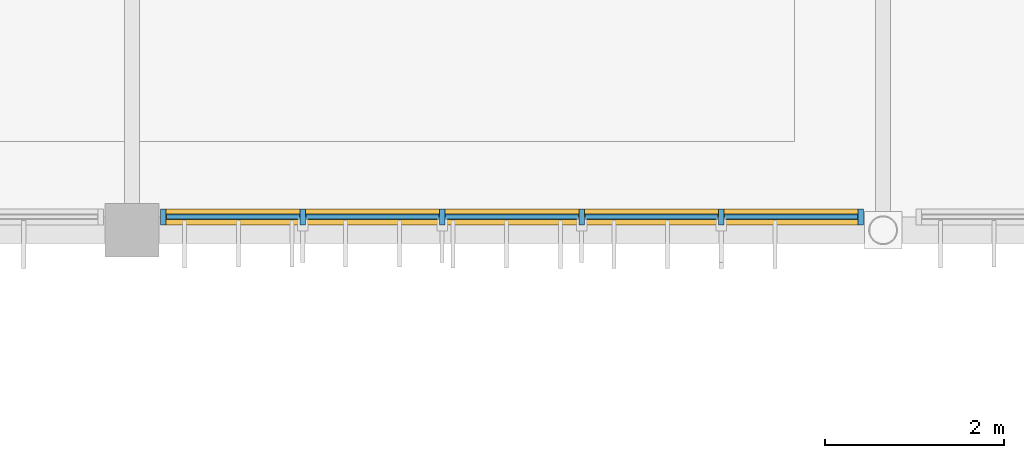
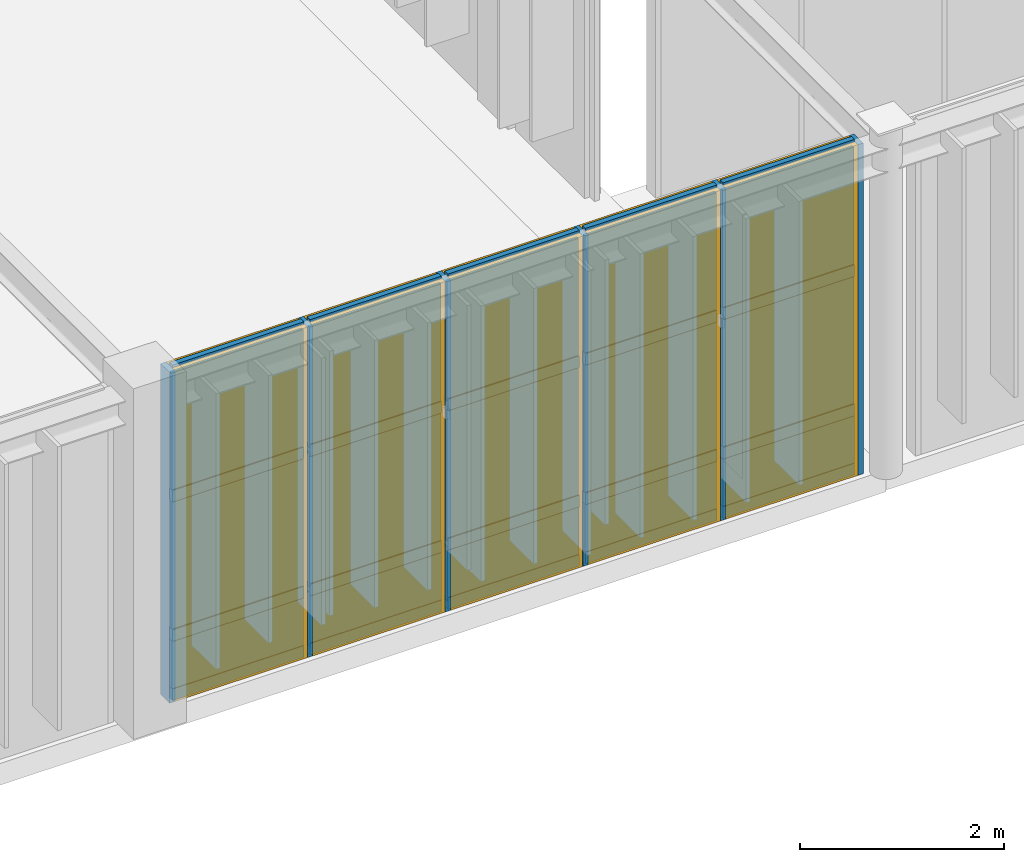
# One storey, part 64 of 104: 26 members, 15 plates, 1 curtain wall.
"""IFC4 building model written with IfcOpenShell, lengths in metres."""

from ifc_helpers import new_model, si_unit, direction, frame, frame_2d, origin, origin_2d, place, context, subcontext, project, spatial, rectangle, extrude, material, layer, layer_set, material_profile, profile_set, type_object, element, aggregate, save


model = new_model("IFC4")

# Units and contexts
model_context = context("Model", 3, precision=1e-05, world=origin(), true_north=direction((0.0, 1.0)))
body_context = subcontext(model_context, "Body", "Model", "MODEL_VIEW")
ifc_project = project(units=[si_unit("LENGTHUNIT", "METRE"), si_unit("AREAUNIT", "SQUARE_METRE"), si_unit("VOLUMEUNIT", "CUBIC_METRE"), si_unit("PLANEANGLEUNIT", "RADIAN"), si_unit("MASSUNIT", "GRAM", prefix="KILO")], contexts=[model_context])

# Member
ifc_material_1 = material(Name="Anodised Bronze Aluminium 6063-T6", Category="aluminium")
ifc_material_profile_1 = material_profile(ifc_material_1, rectangle(XDim=0.06005859375, YDim=0.179931640625, at=origin_2d()), Name="ALU MULLION 60x180")
ifc_profile_set_1 = profile_set([ifc_material_profile_1], Name="Anodised Bronze Aluminium 6063-T6")
member_type_1 = type_object("IfcMemberType", Name="Curtain-Wall Primary Mullion 60x180", PredefinedType="MULLION", material=ifc_profile_set_1)
site_placement = place(None, origin())
building_placement = place(site_placement, origin())
storey_placement = place(building_placement, frame((0.0, 0.0, 9.0)))
member_1_placement = place(storey_placement, frame((19.550048828125, 44.75, 0.0), z_axis=(0.0, 0.0, 1.0), x_axis=(1.0, 0.0, 0.0)))
member_1 = element("IfcMember", 1, at=member_1_placement, type_object=member_type_1, Name="Mullion CWM-01 CW-V6-S-L02-B3-M01", PredefinedType="MULLION", context=body_context, shape_type="SweptSolid", body=[
    extrude(rectangle(XDim=0.06005859375, YDim=0.179931640625, at=origin_2d()), origin(), (0.0, 0.0, 1.0), 3.9599609375),
])

member_2_placement = place(storey_placement, frame((21.110107421875, 44.75, 0.0), z_axis=(0.0, 0.0, 1.0), x_axis=(1.0, 0.0, 0.0)))
member_2 = element("IfcMember", 2, at=member_2_placement, type_object=member_type_1, Name="Mullion CWM-01 CW-V6-S-L02-B3-M02", PredefinedType="MULLION", context=body_context, shape_type="SweptSolid", body=[
    extrude(rectangle(XDim=0.06005859375, YDim=0.179931640625, at=origin_2d()), origin(), (0.0, 0.0, 1.0), 3.9599609375),
])

member_3_placement = place(storey_placement, frame((22.669921875, 44.75, 0.0), z_axis=(0.0, 0.0, 1.0), x_axis=(1.0, 0.0, 0.0)))
member_3 = element("IfcMember", 3, at=member_3_placement, type_object=member_type_1, Name="Mullion CWM-01 CW-V6-S-L02-B3-M03", PredefinedType="MULLION", context=body_context, shape_type="SweptSolid", body=[
    extrude(rectangle(XDim=0.06005859375, YDim=0.179931640625, at=origin_2d()), origin(), (0.0, 0.0, 1.0), 3.9599609375),
])

member_4_placement = place(storey_placement, frame((24.22998046875, 44.75, 0.0), z_axis=(0.0, 0.0, 1.0), x_axis=(1.0, 0.0, 0.0)))
member_4 = element("IfcMember", 4, at=member_4_placement, type_object=member_type_1, Name="Mullion CWM-01 CW-V6-S-L02-B3-M04", PredefinedType="MULLION", context=body_context, shape_type="SweptSolid", body=[
    extrude(rectangle(XDim=0.06005859375, YDim=0.179931640625, at=origin_2d()), origin(), (0.0, 0.0, 1.0), 3.9599609375),
])

member_5_placement = place(storey_placement, frame((25.7900390625, 44.75, 0.0), z_axis=(0.0, 0.0, 1.0), x_axis=(1.0, 0.0, 0.0)))
member_5 = element("IfcMember", 5, at=member_5_placement, type_object=member_type_1, Name="Mullion CWM-01 CW-V6-S-L02-B3-M05", PredefinedType="MULLION", context=body_context, shape_type="SweptSolid", body=[
    extrude(rectangle(XDim=0.06005859375, YDim=0.179931640625, at=origin_2d()), origin(), (0.0, 0.0, 1.0), 3.9599609375),
])

member_6_placement = place(storey_placement, frame((27.35009765625, 44.75, 0.0), z_axis=(0.0, 0.0, 1.0), x_axis=(1.0, 0.0, 0.0)))
member_6 = element("IfcMember", 6, at=member_6_placement, type_object=member_type_1, Name="Mullion CWM-01 CW-V6-S-L02-B3-M06", PredefinedType="MULLION", context=body_context, shape_type="SweptSolid", body=[
    extrude(rectangle(XDim=0.06005859375, YDim=0.179931640625, at=origin_2d()), origin(), (0.0, 0.0, 1.0), 3.9599609375),
])

ifc_material_profile_2 = material_profile(ifc_material_1, rectangle(XDim=0.06005859375, YDim=0.139892578125, at=origin_2d()), Name="ALU TRANSOM 60x140")
ifc_profile_set_2 = profile_set([ifc_material_profile_2], Name="Anodised Bronze Aluminium 6063-T6")
member_type_2 = type_object("IfcMemberType", Name="Curtain-Wall Transom 60x140", PredefinedType="USERDEFINED", material=ifc_profile_set_2)
member_7_placement = place(storey_placement, frame((19.5849609375, 44.75, 0.0400390625), z_axis=(1.0, 0.0, 0.0), x_axis=(0.0, 1.0, 0.0)))
member_7 = element("IfcMember", 7, at=member_7_placement, type_object=member_type_2, Name="Transom CWT-01 CW-V6-S-L02-B3-T01.1", ObjectType="TRANSOM", PredefinedType="USERDEFINED", context=body_context, shape_type="SweptSolid", body=[
    extrude(rectangle(XDim=0.06005859375, YDim=0.139892578125, at=origin_2d()), origin(), (0.0, 0.0, 1.0), 1.489990234375),
])

member_8_placement = place(storey_placement, frame((19.5849609375, 44.75, 0.75), z_axis=(1.0, 0.0, 0.0), x_axis=(0.0, 1.0, 0.0)))
member_8 = element("IfcMember", 8, at=member_8_placement, type_object=member_type_2, Name="Transom CWT-01 CW-V6-S-L02-B3-T01.2", ObjectType="TRANSOM", PredefinedType="USERDEFINED", context=body_context, shape_type="SweptSolid", body=[
    extrude(rectangle(XDim=0.06005859375, YDim=0.139892578125, at=origin_2d()), origin(), (0.0, 0.0, 1.0), 1.489990234375),
])

member_9_placement = place(storey_placement, frame((19.5849609375, 44.75, 2.419189453125), z_axis=(1.0, 0.0, 0.0), x_axis=(0.0, 1.0, 0.0)))
member_9 = element("IfcMember", 9, at=member_9_placement, type_object=member_type_2, Name="Transom CWT-01 CW-V6-S-L02-B3-T01.3", ObjectType="TRANSOM", PredefinedType="USERDEFINED", context=body_context, shape_type="SweptSolid", body=[
    extrude(rectangle(XDim=0.06005859375, YDim=0.139892578125, at=origin_2d()), origin(), (0.0, 0.0, 1.0), 1.489990234375),
])

member_10_placement = place(storey_placement, frame((19.5849609375, 44.75, 3.919921875), z_axis=(1.0, 0.0, 0.0), x_axis=(0.0, 1.0, 0.0)))
member_10 = element("IfcMember", 10, at=member_10_placement, type_object=member_type_2, Name="Transom CWT-01 CW-V6-S-L02-B3-T01.4", ObjectType="TRANSOM", PredefinedType="USERDEFINED", context=body_context, shape_type="SweptSolid", body=[
    extrude(rectangle(XDim=0.06005859375, YDim=0.139892578125, at=origin_2d()), origin(), (0.0, 0.0, 1.0), 1.489990234375),
])

member_11_placement = place(storey_placement, frame((21.14501953125, 44.75, 0.0400390625), z_axis=(1.0, 0.0, 0.0), x_axis=(0.0, 1.0, 0.0)))
member_11 = element("IfcMember", 11, at=member_11_placement, type_object=member_type_2, Name="Transom CWT-01 CW-V6-S-L02-B3-T02.1", ObjectType="TRANSOM", PredefinedType="USERDEFINED", context=body_context, shape_type="SweptSolid", body=[
    extrude(rectangle(XDim=0.06005859375, YDim=0.139892578125, at=origin_2d()), origin(), (0.0, 0.0, 1.0), 1.489990234375),
])

member_12_placement = place(storey_placement, frame((21.14501953125, 44.75, 0.75), z_axis=(1.0, 0.0, 0.0), x_axis=(0.0, 1.0, 0.0)))
member_12 = element("IfcMember", 12, at=member_12_placement, type_object=member_type_2, Name="Transom CWT-01 CW-V6-S-L02-B3-T02.2", ObjectType="TRANSOM", PredefinedType="USERDEFINED", context=body_context, shape_type="SweptSolid", body=[
    extrude(rectangle(XDim=0.06005859375, YDim=0.139892578125, at=origin_2d()), origin(), (0.0, 0.0, 1.0), 1.489990234375),
])

member_13_placement = place(storey_placement, frame((21.14501953125, 44.75, 2.419189453125), z_axis=(1.0, 0.0, 0.0), x_axis=(0.0, 1.0, 0.0)))
member_13 = element("IfcMember", 13, at=member_13_placement, type_object=member_type_2, Name="Transom CWT-01 CW-V6-S-L02-B3-T02.3", ObjectType="TRANSOM", PredefinedType="USERDEFINED", context=body_context, shape_type="SweptSolid", body=[
    extrude(rectangle(XDim=0.06005859375, YDim=0.139892578125, at=origin_2d()), origin(), (0.0, 0.0, 1.0), 1.489990234375),
])

member_14_placement = place(storey_placement, frame((21.14501953125, 44.75, 3.919921875), z_axis=(1.0, 0.0, 0.0), x_axis=(0.0, 1.0, 0.0)))
member_14 = element("IfcMember", 14, at=member_14_placement, type_object=member_type_2, Name="Transom CWT-01 CW-V6-S-L02-B3-T02.4", ObjectType="TRANSOM", PredefinedType="USERDEFINED", context=body_context, shape_type="SweptSolid", body=[
    extrude(rectangle(XDim=0.06005859375, YDim=0.139892578125, at=origin_2d()), origin(), (0.0, 0.0, 1.0), 1.489990234375),
])

member_15_placement = place(storey_placement, frame((22.705078125, 44.75, 0.0400390625), z_axis=(1.0, 0.0, 0.0), x_axis=(0.0, 1.0, 0.0)))
member_15 = element("IfcMember", 15, at=member_15_placement, type_object=member_type_2, Name="Transom CWT-01 CW-V6-S-L02-B3-T03.1", ObjectType="TRANSOM", PredefinedType="USERDEFINED", context=body_context, shape_type="SweptSolid", body=[
    extrude(rectangle(XDim=0.06005859375, YDim=0.139892578125, at=origin_2d()), origin(), (0.0, 0.0, 1.0), 1.489990234375),
])

member_16_placement = place(storey_placement, frame((22.705078125, 44.75, 0.75), z_axis=(1.0, 0.0, 0.0), x_axis=(0.0, 1.0, 0.0)))
member_16 = element("IfcMember", 16, at=member_16_placement, type_object=member_type_2, Name="Transom CWT-01 CW-V6-S-L02-B3-T03.2", ObjectType="TRANSOM", PredefinedType="USERDEFINED", context=body_context, shape_type="SweptSolid", body=[
    extrude(rectangle(XDim=0.06005859375, YDim=0.139892578125, at=origin_2d()), origin(), (0.0, 0.0, 1.0), 1.489990234375),
])

member_17_placement = place(storey_placement, frame((22.705078125, 44.75, 2.419189453125), z_axis=(1.0, 0.0, 0.0), x_axis=(0.0, 1.0, 0.0)))
member_17 = element("IfcMember", 17, at=member_17_placement, type_object=member_type_2, Name="Transom CWT-01 CW-V6-S-L02-B3-T03.3", ObjectType="TRANSOM", PredefinedType="USERDEFINED", context=body_context, shape_type="SweptSolid", body=[
    extrude(rectangle(XDim=0.06005859375, YDim=0.139892578125, at=origin_2d()), origin(), (0.0, 0.0, 1.0), 1.489990234375),
])

member_18_placement = place(storey_placement, frame((22.705078125, 44.75, 3.919921875), z_axis=(1.0, 0.0, 0.0), x_axis=(0.0, 1.0, 0.0)))
member_18 = element("IfcMember", 18, at=member_18_placement, type_object=member_type_2, Name="Transom CWT-01 CW-V6-S-L02-B3-T03.4", ObjectType="TRANSOM", PredefinedType="USERDEFINED", context=body_context, shape_type="SweptSolid", body=[
    extrude(rectangle(XDim=0.06005859375, YDim=0.139892578125, at=origin_2d()), origin(), (0.0, 0.0, 1.0), 1.489990234375),
])

member_19_placement = place(storey_placement, frame((24.264892578125, 44.75, 0.0400390625), z_axis=(1.0, 0.0, 0.0), x_axis=(0.0, 1.0, 0.0)))
member_19 = element("IfcMember", 19, at=member_19_placement, type_object=member_type_2, Name="Transom CWT-01 CW-V6-S-L02-B3-T04.1", ObjectType="TRANSOM", PredefinedType="USERDEFINED", context=body_context, shape_type="SweptSolid", body=[
    extrude(rectangle(XDim=0.06005859375, YDim=0.139892578125, at=origin_2d()), origin(), (0.0, 0.0, 1.0), 1.489990234375),
])

member_20_placement = place(storey_placement, frame((24.264892578125, 44.75, 0.75), z_axis=(1.0, 0.0, 0.0), x_axis=(0.0, 1.0, 0.0)))
member_20 = element("IfcMember", 20, at=member_20_placement, type_object=member_type_2, Name="Transom CWT-01 CW-V6-S-L02-B3-T04.2", ObjectType="TRANSOM", PredefinedType="USERDEFINED", context=body_context, shape_type="SweptSolid", body=[
    extrude(rectangle(XDim=0.06005859375, YDim=0.139892578125, at=origin_2d()), origin(), (0.0, 0.0, 1.0), 1.489990234375),
])

member_21_placement = place(storey_placement, frame((24.264892578125, 44.75, 2.419189453125), z_axis=(1.0, 0.0, 0.0), x_axis=(0.0, 1.0, 0.0)))
member_21 = element("IfcMember", 21, at=member_21_placement, type_object=member_type_2, Name="Transom CWT-01 CW-V6-S-L02-B3-T04.3", ObjectType="TRANSOM", PredefinedType="USERDEFINED", context=body_context, shape_type="SweptSolid", body=[
    extrude(rectangle(XDim=0.06005859375, YDim=0.139892578125, at=origin_2d()), origin(), (0.0, 0.0, 1.0), 1.489990234375),
])

member_22_placement = place(storey_placement, frame((24.264892578125, 44.75, 3.919921875), z_axis=(1.0, 0.0, 0.0), x_axis=(0.0, 1.0, 0.0)))
member_22 = element("IfcMember", 22, at=member_22_placement, type_object=member_type_2, Name="Transom CWT-01 CW-V6-S-L02-B3-T04.4", ObjectType="TRANSOM", PredefinedType="USERDEFINED", context=body_context, shape_type="SweptSolid", body=[
    extrude(rectangle(XDim=0.06005859375, YDim=0.139892578125, at=origin_2d()), origin(), (0.0, 0.0, 1.0), 1.489990234375),
])

member_23_placement = place(storey_placement, frame((25.824951171875, 44.75, 0.0400390625), z_axis=(1.0, 0.0, 0.0), x_axis=(0.0, 1.0, 0.0)))
member_23 = element("IfcMember", 23, at=member_23_placement, type_object=member_type_2, Name="Transom CWT-01 CW-V6-S-L02-B3-T05.1", ObjectType="TRANSOM", PredefinedType="USERDEFINED", context=body_context, shape_type="SweptSolid", body=[
    extrude(rectangle(XDim=0.06005859375, YDim=0.139892578125, at=origin_2d()), origin(), (0.0, 0.0, 1.0), 1.489990234375),
])

member_24_placement = place(storey_placement, frame((25.824951171875, 44.75, 0.75), z_axis=(1.0, 0.0, 0.0), x_axis=(0.0, 1.0, 0.0)))
member_24 = element("IfcMember", 24, at=member_24_placement, type_object=member_type_2, Name="Transom CWT-01 CW-V6-S-L02-B3-T05.2", ObjectType="TRANSOM", PredefinedType="USERDEFINED", context=body_context, shape_type="SweptSolid", body=[
    extrude(rectangle(XDim=0.06005859375, YDim=0.139892578125, at=origin_2d()), origin(), (0.0, 0.0, 1.0), 1.489990234375),
])

member_25_placement = place(storey_placement, frame((25.824951171875, 44.75, 2.419189453125), z_axis=(1.0, 0.0, 0.0), x_axis=(0.0, 1.0, 0.0)))
member_25 = element("IfcMember", 25, at=member_25_placement, type_object=member_type_2, Name="Transom CWT-01 CW-V6-S-L02-B3-T05.3", ObjectType="TRANSOM", PredefinedType="USERDEFINED", context=body_context, shape_type="SweptSolid", body=[
    extrude(rectangle(XDim=0.06005859375, YDim=0.139892578125, at=origin_2d()), origin(), (0.0, 0.0, 1.0), 1.489990234375),
])

member_26_placement = place(storey_placement, frame((25.824951171875, 44.75, 3.919921875), z_axis=(1.0, 0.0, 0.0), x_axis=(0.0, 1.0, 0.0)))
member_26 = element("IfcMember", 26, at=member_26_placement, type_object=member_type_2, Name="Transom CWT-01 CW-V6-S-L02-B3-T05.4", ObjectType="TRANSOM", PredefinedType="USERDEFINED", context=body_context, shape_type="SweptSolid", body=[
    extrude(rectangle(XDim=0.06005859375, YDim=0.139892578125, at=origin_2d()), origin(), (0.0, 0.0, 1.0), 1.489990234375),
])

# Plate
ifc_material_2 = material(Name="Insulated Bronze Aluminium Spandrel Panel", Category="aluminium")
ifc_layer_1 = layer(ifc_material_2, 0.050048828125, Name="Insulated Bronze Aluminium Spandrel Panel")
ifc_layer_set_1 = layer_set([ifc_layer_1], Name="Insulated Bronze Aluminium Spandrel Panel")
plate_type_1 = type_object("IfcPlateType", Name="Insulated Anodised Aluminium Spandrel Cassette 50", PredefinedType="CURTAIN_PANEL", material=ifc_layer_set_1)
plate_1_placement = place(storey_placement, frame((20.330078125, 44.75, 0.070068359375), z_axis=(0.0, 0.0, 1.0), x_axis=(1.0, 0.0, 0.0)))
plate_1 = element("IfcPlate", 27, at=plate_1_placement, type_object=plate_type_1, Name="Curtain Panel CWP-03 CW-V6-S-L02-B3-P01.1", PredefinedType="CURTAIN_PANEL", context=body_context, shape_type="SweptSolid", body=[
    extrude(rectangle(XDim=1.489990234375, YDim=0.050048828125, at=origin_2d()), origin(), (0.0, 0.0, 1.0), 0.64990234375),
])

plate_2_placement = place(storey_placement, frame((21.889892578125, 44.75, 0.070068359375), z_axis=(0.0, 0.0, 1.0), x_axis=(1.0, 0.0, 0.0)))
plate_2 = element("IfcPlate", 28, at=plate_2_placement, type_object=plate_type_1, Name="Curtain Panel CWP-03 CW-V6-S-L02-B3-P02.1", PredefinedType="CURTAIN_PANEL", context=body_context, shape_type="SweptSolid", body=[
    extrude(rectangle(XDim=1.489990234375, YDim=0.050048828125, at=origin_2d()), origin(), (0.0, 0.0, 1.0), 0.64990234375),
])

plate_3_placement = place(storey_placement, frame((23.449951171875, 44.75, 0.070068359375), z_axis=(0.0, 0.0, 1.0), x_axis=(1.0, 0.0, 0.0)))
plate_3 = element("IfcPlate", 29, at=plate_3_placement, type_object=plate_type_1, Name="Curtain Panel CWP-03 CW-V6-S-L02-B3-P03.1", PredefinedType="CURTAIN_PANEL", context=body_context, shape_type="SweptSolid", body=[
    extrude(rectangle(XDim=1.489990234375, YDim=0.050048828125, at=origin_2d()), origin(), (0.0, 0.0, 1.0), 0.64990234375),
])

plate_4_placement = place(storey_placement, frame((25.010009765625, 44.75, 0.070068359375), z_axis=(0.0, 0.0, 1.0), x_axis=(1.0, 0.0, 0.0)))
plate_4 = element("IfcPlate", 30, at=plate_4_placement, type_object=plate_type_1, Name="Curtain Panel CWP-03 CW-V6-S-L02-B3-P04.1", PredefinedType="CURTAIN_PANEL", context=body_context, shape_type="SweptSolid", body=[
    extrude(rectangle(XDim=1.489990234375, YDim=0.050048828125, at=origin_2d()), origin(), (0.0, 0.0, 1.0), 0.64990234375),
])

plate_5_placement = place(storey_placement, frame((26.570068359375, 44.75, 0.070068359375), z_axis=(0.0, 0.0, 1.0), x_axis=(1.0, 0.0, 0.0)))
plate_5 = element("IfcPlate", 31, at=plate_5_placement, type_object=plate_type_1, Name="Curtain Panel CWP-03 CW-V6-S-L02-B3-P05.1", PredefinedType="CURTAIN_PANEL", context=body_context, shape_type="SweptSolid", body=[
    extrude(rectangle(XDim=1.489990234375, YDim=0.050048828125, at=origin_2d()), origin(), (0.0, 0.0, 1.0), 0.64990234375),
])

ifc_material_3 = material(Name="Solar-Control Tempered Double Glazing", Category="glass")
ifc_layer_2 = layer(ifc_material_3, 0.0380859375, Name="Solar-Control Tempered Double Glazing")
ifc_layer_set_2 = layer_set([ifc_layer_2], Name="Solar-Control Tempered Double Glazing")
plate_type_2 = type_object("IfcPlateType", Name="Solar-Control Vision Glazing Unit 38", PredefinedType="CURTAIN_PANEL", material=ifc_layer_set_2)
plate_6_placement = place(storey_placement, frame((20.330078125, 44.75, 0.7802734375), z_axis=(0.0, 0.0, 1.0), x_axis=(1.0, 0.0, 0.0)))
plate_6 = element("IfcPlate", 32, at=plate_6_placement, type_object=plate_type_2, Name="Curtain Panel CWP-02 CW-V6-S-L02-B3-P01.2", PredefinedType="CURTAIN_PANEL", context=body_context, shape_type="SweptSolid", body=[
    extrude(rectangle(XDim=1.489990234375, YDim=0.0380859375, at=origin_2d()), origin(), (0.0, 0.0, 1.0), 1.609130859375),
])

plate_7_placement = place(storey_placement, frame((20.330078125, 44.75, 2.44921875), z_axis=(0.0, 0.0, 1.0), x_axis=(1.0, 0.0, 0.0)))
plate_7 = element("IfcPlate", 33, at=plate_7_placement, type_object=plate_type_2, Name="Curtain Panel CWP-02 CW-V6-S-L02-B3-P01.3", PredefinedType="CURTAIN_PANEL", context=body_context, shape_type="SweptSolid", body=[
    extrude(rectangle(XDim=1.489990234375, YDim=0.0380859375, at=origin_2d()), origin(), (0.0, 0.0, 1.0), 1.44091796875),
])

plate_8_placement = place(storey_placement, frame((21.889892578125, 44.75, 0.7802734375), z_axis=(0.0, 0.0, 1.0), x_axis=(1.0, 0.0, 0.0)))
plate_8 = element("IfcPlate", 34, at=plate_8_placement, type_object=plate_type_2, Name="Curtain Panel CWP-02 CW-V6-S-L02-B3-P02.2", PredefinedType="CURTAIN_PANEL", context=body_context, shape_type="SweptSolid", body=[
    extrude(rectangle(XDim=1.489990234375, YDim=0.0380859375, at=origin_2d()), origin(), (0.0, 0.0, 1.0), 1.609130859375),
])

plate_9_placement = place(storey_placement, frame((21.889892578125, 44.75, 2.44921875), z_axis=(0.0, 0.0, 1.0), x_axis=(1.0, 0.0, 0.0)))
plate_9 = element("IfcPlate", 35, at=plate_9_placement, type_object=plate_type_2, Name="Curtain Panel CWP-02 CW-V6-S-L02-B3-P02.3", PredefinedType="CURTAIN_PANEL", context=body_context, shape_type="SweptSolid", body=[
    extrude(rectangle(XDim=1.489990234375, YDim=0.0380859375, at=origin_2d()), origin(), (0.0, 0.0, 1.0), 1.44091796875),
])

plate_10_placement = place(storey_placement, frame((23.449951171875, 44.75, 0.7802734375), z_axis=(0.0, 0.0, 1.0), x_axis=(1.0, 0.0, 0.0)))
plate_10 = element("IfcPlate", 36, at=plate_10_placement, type_object=plate_type_2, Name="Curtain Panel CWP-02 CW-V6-S-L02-B3-P03.2", PredefinedType="CURTAIN_PANEL", context=body_context, shape_type="SweptSolid", body=[
    extrude(rectangle(XDim=1.489990234375, YDim=0.0380859375, at=origin_2d()), origin(), (0.0, 0.0, 1.0), 1.609130859375),
])

plate_11_placement = place(storey_placement, frame((23.449951171875, 44.75, 2.44921875), z_axis=(0.0, 0.0, 1.0), x_axis=(1.0, 0.0, 0.0)))
plate_11 = element("IfcPlate", 37, at=plate_11_placement, type_object=plate_type_2, Name="Curtain Panel CWP-02 CW-V6-S-L02-B3-P03.3", PredefinedType="CURTAIN_PANEL", context=body_context, shape_type="SweptSolid", body=[
    extrude(rectangle(XDim=1.489990234375, YDim=0.0380859375, at=origin_2d()), origin(), (0.0, 0.0, 1.0), 1.44091796875),
])

plate_12_placement = place(storey_placement, frame((25.010009765625, 44.75, 0.7802734375), z_axis=(0.0, 0.0, 1.0), x_axis=(1.0, 0.0, 0.0)))
plate_12 = element("IfcPlate", 38, at=plate_12_placement, type_object=plate_type_2, Name="Curtain Panel CWP-02 CW-V6-S-L02-B3-P04.2", PredefinedType="CURTAIN_PANEL", context=body_context, shape_type="SweptSolid", body=[
    extrude(rectangle(XDim=1.489990234375, YDim=0.0380859375, at=origin_2d()), origin(), (0.0, 0.0, 1.0), 1.609130859375),
])

plate_13_placement = place(storey_placement, frame((25.010009765625, 44.75, 2.44921875), z_axis=(0.0, 0.0, 1.0), x_axis=(1.0, 0.0, 0.0)))
plate_13 = element("IfcPlate", 39, at=plate_13_placement, type_object=plate_type_2, Name="Curtain Panel CWP-02 CW-V6-S-L02-B3-P04.3", PredefinedType="CURTAIN_PANEL", context=body_context, shape_type="SweptSolid", body=[
    extrude(rectangle(XDim=1.489990234375, YDim=0.0380859375, at=origin_2d()), origin(), (0.0, 0.0, 1.0), 1.44091796875),
])

plate_14_placement = place(storey_placement, frame((26.570068359375, 44.75, 0.7802734375), z_axis=(0.0, 0.0, 1.0), x_axis=(1.0, 0.0, 0.0)))
plate_14 = element("IfcPlate", 40, at=plate_14_placement, type_object=plate_type_2, Name="Curtain Panel CWP-02 CW-V6-S-L02-B3-P05.2", PredefinedType="CURTAIN_PANEL", context=body_context, shape_type="SweptSolid", body=[
    extrude(rectangle(XDim=1.489990234375, YDim=0.0380859375, at=origin_2d()), origin(), (0.0, 0.0, 1.0), 1.609130859375),
])

plate_15_placement = place(storey_placement, frame((26.570068359375, 44.75, 2.44921875), z_axis=(0.0, 0.0, 1.0), x_axis=(1.0, 0.0, 0.0)))
plate_15 = element("IfcPlate", 41, at=plate_15_placement, type_object=plate_type_2, Name="Curtain Panel CWP-02 CW-V6-S-L02-B3-P05.3", PredefinedType="CURTAIN_PANEL", context=body_context, shape_type="SweptSolid", body=[
    extrude(rectangle(XDim=1.489990234375, YDim=0.0380859375, at=origin_2d()), origin(), (0.0, 0.0, 1.0), 1.44091796875),
])

# Site, building, storey
site = spatial("IfcSite", under=ifc_project, at=site_placement, CompositionType="ELEMENT")
building = spatial("IfcBuilding", under=site, at=building_placement, Name="Tazoul Stagehouse", CompositionType="ELEMENT")
storey = spatial("IfcBuildingStorey", under=building, at=storey_placement, Name="L02", CompositionType="ELEMENT", Elevation=9.0)

# Curtain wall
curtain_wall_type = type_object("IfcCurtainWallType", Name="Foyer Clear Solar-Control Curtain Wall", PredefinedType="NOTDEFINED", material=ifc_material_1)
curtain_wall_placement = place(storey_placement, frame((19.550048828125, 44.75, 0.0), z_axis=(0.0, 0.0, 1.0), x_axis=(1.0, 0.0, 0.0)))
curtain_wall = element("IfcCurtainWall", 42, at=curtain_wall_placement, inside=storey, type_object=curtain_wall_type, Name="L02 Curtain Wall CW-02 (CW-V6-S-L02-B3)", PredefinedType="NOTDEFINED", context=body_context, shape_type="SweptSolid", body=[
    extrude(rectangle(XDim=7.800048828125, YDim=0.179931640625, at=frame_2d((3.89990234375, 0.0))), origin(), (0.0, 0.0, 1.0), 3.9599609375),
])

aggregate(curtain_wall, [member_1, member_2, member_3, member_4, member_5, member_6, member_7, member_8, member_9, member_10, plate_1, plate_6, plate_7, member_11, member_12, member_13, member_14, plate_2, plate_8, plate_9, member_15, member_16, member_17, member_18, plate_3, plate_10, plate_11, member_19, member_20, member_21, member_22, plate_4, plate_12, plate_13, member_23, member_24, member_25, member_26, plate_5, plate_14, plate_15])

save(model, "model.ifc")
